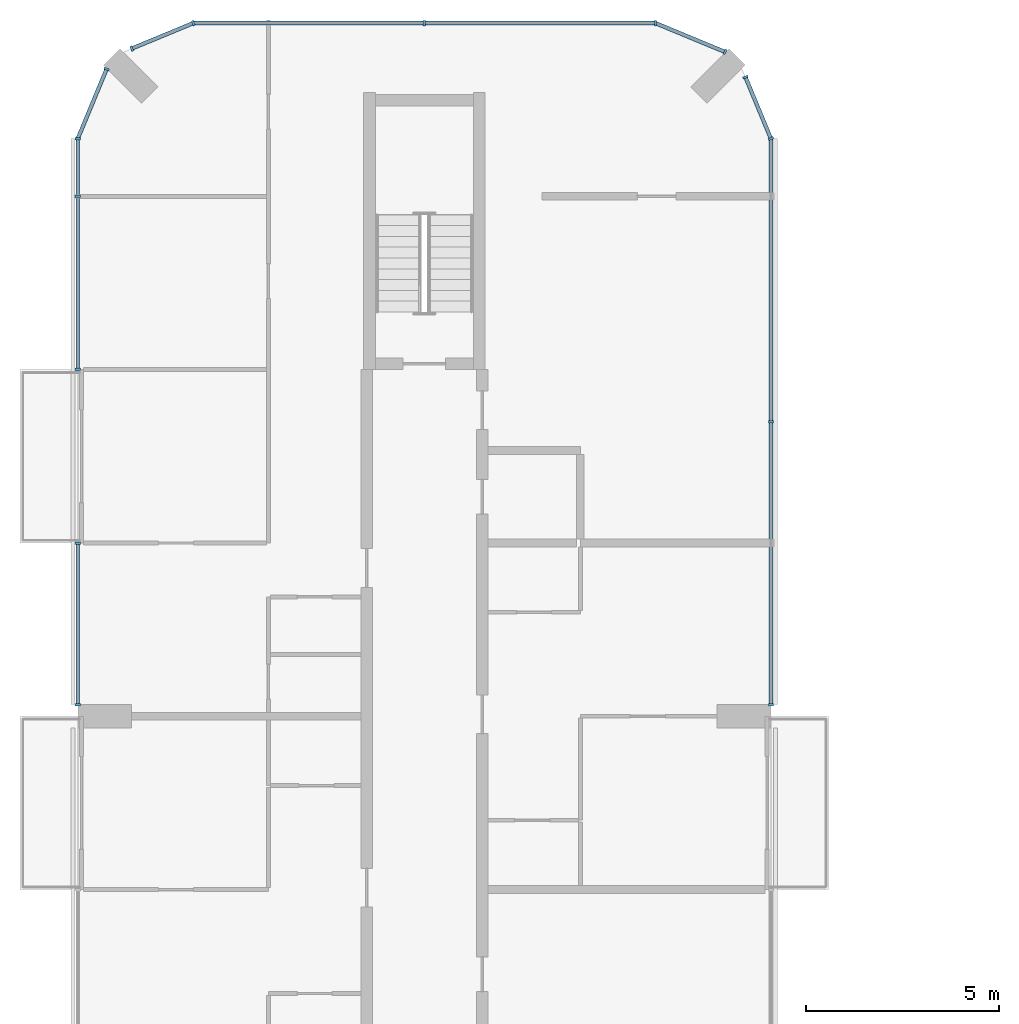
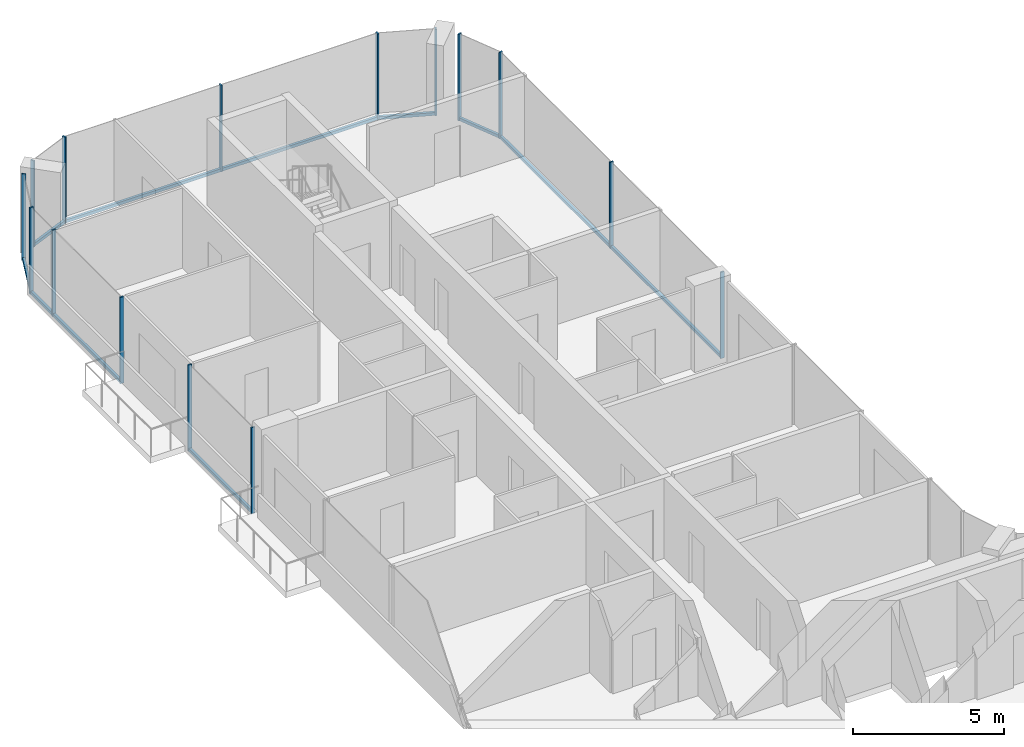
# One storey, part 7 of 15: 23 members, 8 elements without a shape of their own.
"""IFC4 building model written with IfcOpenShell, lengths in metres."""

from ifc_helpers import new_model, si_unit, direction, frame, origin, origin_2d, place, context, subcontext, project, spatial, rectangle, extrude, material, layer, layer_set, material_profile, profile_set, type_object, element, aggregate, save


model = new_model("IFC4")

# Units and contexts
model_context = context("Model", 3, precision=1e-05, world=origin(), true_north=direction((0.0, 1.0)))
body_context = subcontext(model_context, "Body", "Model", "MODEL_VIEW")
ifc_project = project(units=[si_unit("LENGTHUNIT", "METRE"), si_unit("AREAUNIT", "SQUARE_METRE"), si_unit("VOLUMEUNIT", "CUBIC_METRE"), si_unit("PLANEANGLEUNIT", "RADIAN"), si_unit("MASSUNIT", "GRAM", prefix="KILO")], contexts=[model_context])

# Site, building, storey
site_placement = place(None, origin())
site = spatial("IfcSite", under=ifc_project, at=site_placement, CompositionType="ELEMENT")
building_placement = place(site_placement, origin())
building = spatial("IfcBuilding", under=site, at=building_placement, Name="Plateau Cross Towers", CompositionType="ELEMENT")
storey_placement = place(building_placement, frame((0.0, 0.0, 149.89990234375)))
storey = spatial("IfcBuildingStorey", under=building, at=storey_placement, Name="L38", CompositionType="ELEMENT", Elevation=149.89990234375)

# Curtain wall, members
ifc_material_1 = material(Name="Dark low-iron glass", Category="glass")
ifc_layer = layer(ifc_material_1, 0.239990234375)
ifc_layer_set = layer_set([ifc_layer], Name="Dark low-iron glass")
curtain_wall_type = type_object("IfcCurtainWallType", Name="Curtain wall flush unitised CW-B", PredefinedType="NOTDEFINED", material=ifc_layer_set)
curtain_wall_1_placement = place(storey_placement, origin())
curtain_wall_1 = element("IfcCurtainWall", 1, at=curtain_wall_1_placement, inside=storey, type_object=curtain_wall_type, Name="ENV/A/L38/A180_363", PredefinedType="NOTDEFINED")
ifc_material_2 = material(Name="Black anodised aluminium", Category="aluminium")
ifc_material_profile_1 = material_profile(ifc_material_2, rectangle(XDim=0.06005859375, YDim=0.139892578125, at=origin_2d()), Name="MULLION 60x140")
ifc_profile_set_1 = profile_set([ifc_material_profile_1], Name="Black anodised aluminium")
member_type_1 = type_object("IfcMemberType", Name="Mullion 60x140 flush unitised", PredefinedType="MULLION", material=ifc_profile_set_1)
member_1_placement = place(storey_placement, frame((18.0, 36.300048828125, -0.25), z_axis=(0.0, 0.0, 1.0), x_axis=(0.0, 1.0, 0.0)))
member_1 = element("IfcMember", 2, at=member_1_placement, type_object=member_type_1, Name="CW-B mullion 1", PredefinedType="MULLION", context=body_context, shape_type="SweptSolid", body=[
    extrude(rectangle(XDim=0.06005859375, YDim=0.139892578125, at=origin_2d()), origin(), (0.0, 0.0, 1.0), 3.5),
])
member_2_placement = place(storey_placement, frame((18.0, 43.64990234375, -0.25), z_axis=(0.0, 0.0, 1.0), x_axis=(0.0, 1.0, 0.0)))
member_2 = element("IfcMember", 3, at=member_2_placement, type_object=member_type_1, Name="CW-B mullion 2", PredefinedType="MULLION", context=body_context, shape_type="SweptSolid", body=[
    extrude(rectangle(XDim=0.06005859375, YDim=0.139892578125, at=origin_2d()), origin(), (0.0, 0.0, 1.0), 3.5),
])

curtain_wall_2_placement = place(storey_placement, origin())
curtain_wall_2 = element("IfcCurtainWall", 4, at=curtain_wall_2_placement, inside=storey, type_object=curtain_wall_type, Name="ENV/A/L38/A180_510", PredefinedType="NOTDEFINED")
member_3_placement = place(storey_placement, frame((18.0, 51.0, -0.25), z_axis=(0.0, 0.0, 1.0), x_axis=(-0.382683612978, 0.923879457699, 0.0)))
member_3 = element("IfcMember", 5, at=member_3_placement, type_object=member_type_1, Name="CW-B mullion 1", PredefinedType="MULLION", context=body_context, shape_type="SweptSolid", body=[
    extrude(rectangle(XDim=0.06005859375, YDim=0.139892578125, at=origin_2d()), origin(), (0.0, 0.0, 1.0), 3.5),
])
member_4_placement = place(storey_placement, frame((17.338623046875, 52.5966796875, -0.25), z_axis=(0.0, 0.0, 1.0), x_axis=(-0.382683612978, 0.923879457699, 0.0)))
member_4 = element("IfcMember", 6, at=member_4_placement, type_object=member_type_1, Name="CW-B mullion 2", PredefinedType="MULLION", context=body_context, shape_type="SweptSolid", body=[
    extrude(rectangle(XDim=0.06005859375, YDim=0.139892578125, at=origin_2d()), origin(), (0.0, 0.0, 1.0), 3.5),
])

# Curtain wall, member
curtain_wall_3_placement = place(storey_placement, origin())
curtain_wall_3 = element("IfcCurtainWall", 7, at=curtain_wall_3_placement, inside=storey, type_object=curtain_wall_type, Name="ENV/A/L38/A168_533", PredefinedType="NOTDEFINED")
member_5_placement = place(storey_placement, frame((16.805908203125, 53.251953125, -0.25), z_axis=(0.0, 0.0, 1.0), x_axis=(-0.923879457699, 0.382683612978, 0.0)))
member_5 = element("IfcMember", 8, at=member_5_placement, type_object=member_type_1, Name="CW-B mullion 1", PredefinedType="MULLION", context=body_context, shape_type="SweptSolid", body=[
    extrude(rectangle(XDim=0.06005859375, YDim=0.139892578125, at=origin_2d()), origin(), (0.0, 0.0, 1.0), 3.5),
])

# Curtain wall, members
curtain_wall_4_placement = place(storey_placement, origin())
curtain_wall_4 = element("IfcCurtainWall", 9, at=curtain_wall_4_placement, inside=storey, type_object=curtain_wall_type, Name="ENV/A/L38/A150_540", PredefinedType="NOTDEFINED")
member_6_placement = place(storey_placement, frame((15.0, 54.0, -0.25), z_axis=(0.0, 0.0, 1.0), x_axis=(-1.0, 0.0, 0.0)))
member_6 = element("IfcMember", 10, at=member_6_placement, type_object=member_type_1, Name="CW-B mullion 1", PredefinedType="MULLION", context=body_context, shape_type="SweptSolid", body=[
    extrude(rectangle(XDim=0.06005859375, YDim=0.139892578125, at=origin_2d()), origin(), (0.0, 0.0, 1.0), 3.5),
])
member_7_placement = place(storey_placement, frame((9.0, 54.0, -0.25), z_axis=(0.0, 0.0, 1.0), x_axis=(-1.0, 0.0, 0.0)))
member_7 = element("IfcMember", 11, at=member_7_placement, type_object=member_type_1, Name="CW-B mullion 2", PredefinedType="MULLION", context=body_context, shape_type="SweptSolid", body=[
    extrude(rectangle(XDim=0.06005859375, YDim=0.139892578125, at=origin_2d()), origin(), (0.0, 0.0, 1.0), 3.5),
])

curtain_wall_5_placement = place(storey_placement, origin())
curtain_wall_5 = element("IfcCurtainWall", 12, at=curtain_wall_5_placement, inside=storey, type_object=curtain_wall_type, Name="ENV/A/L38/A30_540", PredefinedType="NOTDEFINED")
member_8_placement = place(storey_placement, frame((3.0, 54.0, -0.25), z_axis=(0.0, 0.0, 1.0), x_axis=(-0.923879457699, -0.382683612978, 0.0)))
member_8 = element("IfcMember", 13, at=member_8_placement, type_object=member_type_1, Name="CW-B mullion 1", PredefinedType="MULLION", context=body_context, shape_type="SweptSolid", body=[
    extrude(rectangle(XDim=0.06005859375, YDim=0.139892578125, at=origin_2d()), origin(), (0.0, 0.0, 1.0), 3.5),
])
member_9_placement = place(storey_placement, frame((1.4033203125, 53.338623046875, -0.25), z_axis=(0.0, 0.0, 1.0), x_axis=(-0.923879457699, -0.382683612978, 0.0)))
member_9 = element("IfcMember", 14, at=member_9_placement, type_object=member_type_1, Name="CW-B mullion 2", PredefinedType="MULLION", context=body_context, shape_type="SweptSolid", body=[
    extrude(rectangle(XDim=0.06005859375, YDim=0.139892578125, at=origin_2d()), origin(), (0.0, 0.0, 1.0), 3.5),
])

# Curtain wall, member
curtain_wall_6_placement = place(storey_placement, origin())
curtain_wall_6 = element("IfcCurtainWall", 15, at=curtain_wall_6_placement, inside=storey, type_object=curtain_wall_type, Name="ENV/A/L38/A7_528", PredefinedType="NOTDEFINED")
member_10_placement = place(storey_placement, frame((0.748046875, 52.805908203125, -0.25), z_axis=(0.0, 0.0, 1.0), x_axis=(-0.382683612978, -0.923879457699, 0.0)))
member_10 = element("IfcMember", 16, at=member_10_placement, type_object=member_type_1, Name="CW-B mullion 1", PredefinedType="MULLION", context=body_context, shape_type="SweptSolid", body=[
    extrude(rectangle(XDim=0.06005859375, YDim=0.139892578125, at=origin_2d()), origin(), (0.0, 0.0, 1.0), 3.5),
])

# Curtain wall, members
curtain_wall_7_placement = place(storey_placement, origin())
curtain_wall_7 = element("IfcCurtainWall", 17, at=curtain_wall_7_placement, inside=storey, type_object=curtain_wall_type, Name="ENV/A/L38/A0_510", PredefinedType="NOTDEFINED")
member_11_placement = place(storey_placement, frame((0.0, 51.0, -0.25), z_axis=(0.0, 0.0, 1.0), x_axis=(0.0, -1.0, 0.0)))
member_11 = element("IfcMember", 18, at=member_11_placement, type_object=member_type_1, Name="CW-B mullion 1", PredefinedType="MULLION", context=body_context, shape_type="SweptSolid", body=[
    extrude(rectangle(XDim=0.06005859375, YDim=0.139892578125, at=origin_2d()), origin(), (0.0, 0.0, 1.0), 3.5),
])
member_12_placement = place(storey_placement, frame((0.0, 49.5, -0.25), z_axis=(0.0, 0.0, 1.0), x_axis=(0.0, -1.0, 0.0)))
member_12 = element("IfcMember", 19, at=member_12_placement, type_object=member_type_1, Name="CW-B mullion 2", PredefinedType="MULLION", context=body_context, shape_type="SweptSolid", body=[
    extrude(rectangle(XDim=0.06005859375, YDim=0.139892578125, at=origin_2d()), origin(), (0.0, 0.0, 1.0), 3.5),
])
member_13_placement = place(storey_placement, frame((0.0, 45.010009765625, -0.25), z_axis=(0.0, 0.0, 1.0), x_axis=(0.0, -1.0, 0.0)))
member_13 = element("IfcMember", 20, at=member_13_placement, type_object=member_type_1, Name="CW-B mullion 3", PredefinedType="MULLION", context=body_context, shape_type="SweptSolid", body=[
    extrude(rectangle(XDim=0.06005859375, YDim=0.139892578125, at=origin_2d()), origin(), (0.0, 0.0, 1.0), 3.5),
])

curtain_wall_8_placement = place(storey_placement, origin())
curtain_wall_8 = element("IfcCurtainWall", 21, at=curtain_wall_8_placement, inside=storey, type_object=curtain_wall_type, Name="ENV/A/L38/A0_405", PredefinedType="NOTDEFINED")
member_14_placement = place(storey_placement, frame((0.0, 40.489990234375, -0.25), z_axis=(0.0, 0.0, 1.0), x_axis=(0.0, -1.0, 0.0)))
member_14 = element("IfcMember", 22, at=member_14_placement, type_object=member_type_1, Name="CW-B mullion 1", PredefinedType="MULLION", context=body_context, shape_type="SweptSolid", body=[
    extrude(rectangle(XDim=0.06005859375, YDim=0.139892578125, at=origin_2d()), origin(), (0.0, 0.0, 1.0), 3.5),
])
member_15_placement = place(storey_placement, frame((0.0, 36.300048828125, -0.25), z_axis=(0.0, 0.0, 1.0), x_axis=(0.0, -1.0, 0.0)))
member_15 = element("IfcMember", 23, at=member_15_placement, type_object=member_type_1, Name="CW-B mullion 2", PredefinedType="MULLION", context=body_context, shape_type="SweptSolid", body=[
    extrude(rectangle(XDim=0.06005859375, YDim=0.139892578125, at=origin_2d()), origin(), (0.0, 0.0, 1.0), 3.5),
])

# Member
ifc_material_profile_2 = material_profile(ifc_material_2, rectangle(XDim=0.10009765625, YDim=0.1201171875, at=origin_2d()), Name="TRANSOM 100x120")
ifc_profile_set_2 = profile_set([ifc_material_profile_2], Name="Black anodised aluminium")
member_type_2 = type_object("IfcMemberType", Name="Transom 100x120 flush unitised", PredefinedType="USERDEFINED", material=ifc_profile_set_2)
member_16_placement = place(storey_placement, frame((18.0, 36.300048828125, -0.18994140625), z_axis=(0.0, 1.0, 0.0), x_axis=(-1.0, 0.0, 0.0)))
member_16 = element("IfcMember", 24, at=member_16_placement, type_object=member_type_2, Name="CW-B transom", ObjectType="TRANSOM", PredefinedType="USERDEFINED", context=body_context, shape_type="SweptSolid", body=[
    extrude(rectangle(XDim=0.10009765625, YDim=0.1201171875, at=origin_2d()), origin(), (0.0, 0.0, 1.0), 14.699951171875),
])

aggregate(curtain_wall_1, [member_1, member_2, member_16])

member_17_placement = place(storey_placement, frame((18.0, 51.0, -0.18994140625), z_axis=(-0.382688653628, 0.923877369776, 0.0), x_axis=(-0.923877369776, -0.382688653628, 0.0)))
member_17 = element("IfcMember", 25, at=member_17_placement, type_object=member_type_2, Name="CW-B transom", ObjectType="TRANSOM", PredefinedType="USERDEFINED", context=body_context, shape_type="SweptSolid", body=[
    extrude(rectangle(XDim=0.10009765625, YDim=0.1201171875, at=origin_2d()), origin(), (0.0, 0.0, 1.0), 1.728271484375),
])

aggregate(curtain_wall_2, [member_3, member_4, member_17])

member_18_placement = place(storey_placement, frame((16.805908203125, 53.251953125, -0.18994140625), z_axis=(-0.92387678234, 0.382690071798, 0.0), x_axis=(-0.382690071798, -0.92387678234, 0.0)))
member_18 = element("IfcMember", 26, at=member_18_placement, type_object=member_type_2, Name="CW-B transom", ObjectType="TRANSOM", PredefinedType="USERDEFINED", context=body_context, shape_type="SweptSolid", body=[
    extrude(rectangle(XDim=0.10009765625, YDim=0.1201171875, at=origin_2d()), origin(), (0.0, 0.0, 1.0), 1.95458984375),
])

aggregate(curtain_wall_3, [member_5, member_18])

member_19_placement = place(storey_placement, frame((15.0, 54.0, -0.18994140625), z_axis=(-1.0, 0.0, 0.0), x_axis=(0.0, -1.0, 0.0)))
member_19 = element("IfcMember", 27, at=member_19_placement, type_object=member_type_2, Name="CW-B transom", ObjectType="TRANSOM", PredefinedType="USERDEFINED", context=body_context, shape_type="SweptSolid", body=[
    extrude(rectangle(XDim=0.10009765625, YDim=0.1201171875, at=origin_2d()), origin(), (0.0, 0.0, 1.0), 12.0),
])

aggregate(curtain_wall_4, [member_6, member_7, member_19])

member_20_placement = place(storey_placement, frame((3.0, 54.0, -0.18994140625), z_axis=(-0.923877369776, -0.382688653628, 0.0), x_axis=(0.382688653628, -0.923877369776, 0.0)))
member_20 = element("IfcMember", 28, at=member_20_placement, type_object=member_type_2, Name="CW-B transom", ObjectType="TRANSOM", PredefinedType="USERDEFINED", context=body_context, shape_type="SweptSolid", body=[
    extrude(rectangle(XDim=0.10009765625, YDim=0.1201171875, at=origin_2d()), origin(), (0.0, 0.0, 1.0), 1.728271484375),
])

aggregate(curtain_wall_5, [member_8, member_9, member_20])

member_21_placement = place(storey_placement, frame((0.748046875, 52.805908203125, -0.18994140625), z_axis=(-0.382690071798, -0.92387678234, 0.0), x_axis=(0.92387678234, -0.382690071798, 0.0)))
member_21 = element("IfcMember", 29, at=member_21_placement, type_object=member_type_2, Name="CW-B transom", ObjectType="TRANSOM", PredefinedType="USERDEFINED", context=body_context, shape_type="SweptSolid", body=[
    extrude(rectangle(XDim=0.10009765625, YDim=0.1201171875, at=origin_2d()), origin(), (0.0, 0.0, 1.0), 1.95458984375),
])

aggregate(curtain_wall_6, [member_10, member_21])

member_22_placement = place(storey_placement, frame((0.0, 51.0, -0.18994140625), z_axis=(0.0, -1.0, 0.0), x_axis=(1.0, 0.0, 0.0)))
member_22 = element("IfcMember", 30, at=member_22_placement, type_object=member_type_2, Name="CW-B transom", ObjectType="TRANSOM", PredefinedType="USERDEFINED", context=body_context, shape_type="SweptSolid", body=[
    extrude(rectangle(XDim=0.10009765625, YDim=0.1201171875, at=origin_2d()), origin(), (0.0, 0.0, 1.0), 5.989990234375),
])

aggregate(curtain_wall_7, [member_11, member_12, member_13, member_22])

member_23_placement = place(storey_placement, frame((0.0, 40.489990234375, -0.18994140625), z_axis=(0.0, -1.0, 0.0), x_axis=(1.0, 0.0, 0.0)))
member_23 = element("IfcMember", 31, at=member_23_placement, type_object=member_type_2, Name="CW-B transom", ObjectType="TRANSOM", PredefinedType="USERDEFINED", context=body_context, shape_type="SweptSolid", body=[
    extrude(rectangle(XDim=0.10009765625, YDim=0.1201171875, at=origin_2d()), origin(), (0.0, 0.0, 1.0), 4.18994140625),
])

aggregate(curtain_wall_8, [member_14, member_15, member_23])

save(model, "model.ifc")
